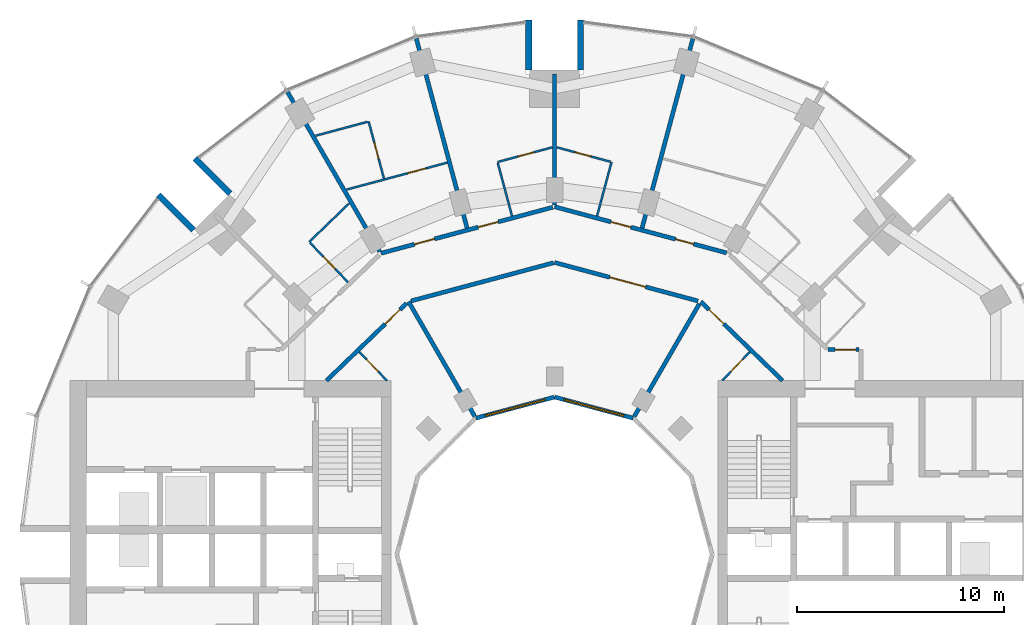
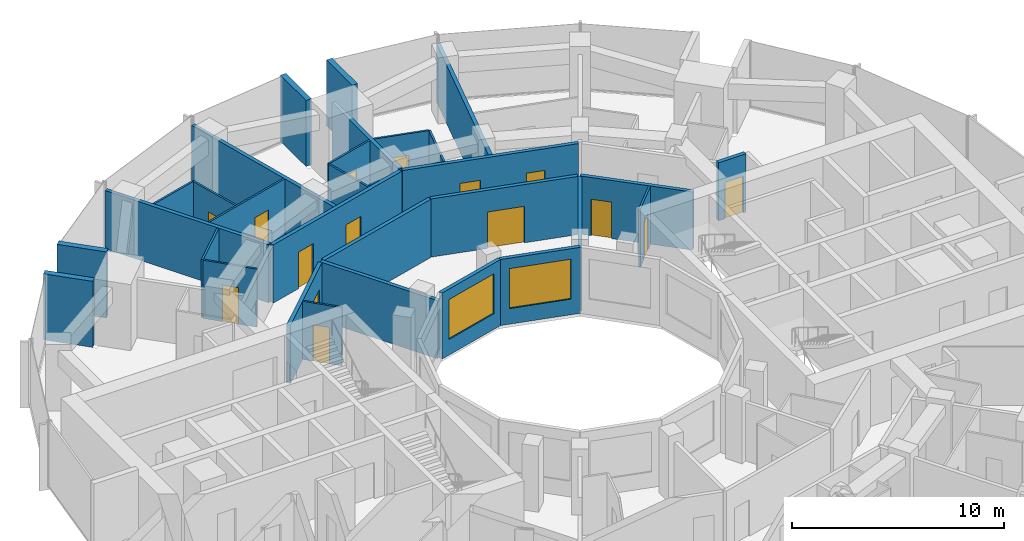
# One storey, part 12 of 15: 30 walls, 15 doors, 2 windows, 17 openings.
"""IFC4 building model written with IfcOpenShell, lengths in metres."""

from ifc_helpers import new_model, si_unit, direction, frame, frame_2d, origin, place, context, subcontext, project, spatial, rectangle, extrude, material, layer, layer_set, type_object, element, fill, save


model = new_model("IFC4")

# Units and contexts
model_context = context("Model", 3, precision=1e-05, world=origin(), true_north=direction((0.0, 1.0)))
body_context = subcontext(model_context, "Body", "Model", "MODEL_VIEW")
ifc_project = project(units=[si_unit("LENGTHUNIT", "METRE"), si_unit("AREAUNIT", "SQUARE_METRE"), si_unit("VOLUMEUNIT", "CUBIC_METRE"), si_unit("PLANEANGLEUNIT", "RADIAN"), si_unit("MASSUNIT", "GRAM", prefix="KILO")], contexts=[model_context])

# Site, building, storey
site_placement = place(None, origin())
site = spatial("IfcSite", under=ifc_project, at=site_placement, CompositionType="ELEMENT")
building_placement = place(site_placement, origin())
building = spatial("IfcBuilding", under=site, at=building_placement, Name="Torre Brocal", CompositionType="ELEMENT")
storey_placement = place(building_placement, frame((0.0, 0.0, 47.800048828125)))
storey = spatial("IfcBuildingStorey", under=building, at=storey_placement, Name="L10", CompositionType="ELEMENT", Elevation=47.800048828125)

# Walls
ifc_material_1 = material(Name="Concrete C80", Category="concrete")
ifc_layer_1 = layer(ifc_material_1, 0.300048828125)
ifc_layer_set_1 = layer_set([ifc_layer_1], Name="Concrete C80")
wall_type_1 = type_object("IfcWallType", Name="NOTCH RETURN WALL 300 C80", PredefinedType="NOTDEFINED", material=ifc_layer_set_1)
for number, where, z_axis, x_axis, name in (
    (1, (81.25, 98.39990234375, 0.0), (0.0, 0.0, 1.0), (0.0, 1.0, 0.0), "NOTCH RETURN WALL"),
    (2, (78.75, 98.39990234375, 0.0), (0.0, 0.0, 1.0), (0.0, 1.0, 0.0), "NOTCH RETURN WALL"),
    (3, (64.337646484375, 92.43017578125, 0.0), (0.0, 0.0, 1.0), (-0.707106781187, 0.707106781187, 0.0), "NOTCH RETURN WALL"),
    (4, (62.56982421875, 90.662353515625, 0.0), (0.0, 0.0, 1.0), (-0.707106781187, 0.707106781187, 0.0), "NOTCH RETURN WALL"),
):
    element("IfcWall", number, at=place(storey_placement, frame(where, z_axis=z_axis, x_axis=x_axis)), inside=storey, type_object=wall_type_1, Name=name, PredefinedType="NOTDEFINED", context=body_context, shape_type="SweptSolid", body=[
        extrude(rectangle(XDim=2.415771484375, YDim=0.300048828125, at=frame_2d((1.2080078125, 0.0))), origin(), (0.0, 0.0, 1.0), 3.800048828125),
    ])

# Wall, opening, door
ifc_material_2 = material(Name="Gypsum board", Category="Gypsum")
ifc_layer_2 = layer(ifc_material_2, 0.10009765625)
ifc_layer_set_2 = layer_set([ifc_layer_2], Name="Gypsum board")
wall_type_2 = type_object("IfcWallType", Name="PARTITION 100", PredefinedType="PARTITIONING", material=ifc_layer_set_2)
wall_1_placement = place(storey_placement, frame((68.184814453125, 90.06005859375, 0.0), z_axis=(0.0, 0.0, 1.0), x_axis=(0.69446127412, -0.719530081892, 0.0)))
wall_1 = element("IfcWall", 5, at=wall_1_placement, inside=storey, type_object=wall_type_2, Name="BATHROOM WALL", PredefinedType="PARTITIONING", context=body_context, shape_type="SweptSolid", body=[
    extrude(rectangle(XDim=2.64892578125, YDim=0.10009765625, at=frame_2d((1.324462890625, 0.0))), origin(), (0.0, 0.0, 1.0), 3.349853515625),
])
opening_1_placement = place(wall_1_placement, frame((0.94970703125, 0.0, 0.0)))
opening_1 = element("IfcOpeningElement", 6, at=opening_1_placement, cuts=wall_1, Name="Opening H02-D15", PredefinedType="OPENING", context=body_context, shape_type="SweptSolid", body=[
    extrude(rectangle(XDim=0.800048828125, YDim=2.10009765625, at=frame_2d((0.39990234375, 1.050048828125))), frame((0.0, 0.06005859375, 0.0), z_axis=(0.0, -1.0, 0.0), x_axis=(1.0, 0.0, 0.0)), (0.0, 0.0, 1.0), 0.1201171875),
])
ifc_material_3 = material(Name="Timber", Category="wood")
door_type_1 = type_object("IfcDoorType", Name="BATHROOM DOOR 800X2100", OperationType="SINGLE_SWING_LEFT", PredefinedType="DOOR", material=ifc_material_3)
door_1_placement = place(opening_1_placement, origin())
door_1 = element("IfcDoor", 7, at=door_1_placement, inside=storey, type_object=door_type_1, Name="H02-D15", OperationType="SINGLE_SWING_RIGHT", OverallHeight=2.10009765625, OverallWidth=0.800048828125, PredefinedType="DOOR", context=body_context, shape_type="SweptSolid", body=[
    extrude(rectangle(XDim=0.800048828125, YDim=2.10009765625, at=frame_2d((0.39990234375, 1.050048828125))), frame((0.0, 0.02490234375, 0.0), z_axis=(0.0, -1.0, 0.0), x_axis=(1.0, 0.0, 0.0)), (0.0, 0.0, 1.0), 0.050048828125),
])
fill(opening_1, door_1)

# Walls
wall_2_placement = place(storey_placement, frame((68.14990234375, 90.09619140625, 0.0), z_axis=(0.0, 0.0, 1.0), x_axis=(0.719623741095, 0.69436422089, 0.0)))
element("IfcWall", 8, at=wall_2_placement, inside=storey, type_object=wall_type_2, Name="BATHROOM WALL", PredefinedType="PARTITIONING", context=body_context, shape_type="SweptSolid", body=[
    extrude(rectangle(XDim=2.68701171875, YDim=0.10009765625, at=frame_2d((1.343505859375, 0.0))), origin(), (0.0, 0.0, 1.0), 3.349853515625),
])
wall_3_placement = place(storey_placement, frame((68.456787109375, 95.22509765625, 0.0), z_axis=(0.0, 0.0, 1.0), x_axis=(0.965887416682, 0.258962349183, 0.0)))
element("IfcWall", 9, at=wall_3_placement, inside=storey, type_object=wall_type_2, Name="BATHROOM WALL", PredefinedType="PARTITIONING", context=body_context, shape_type="SweptSolid", body=[
    extrude(rectangle(XDim=2.606689453125, YDim=0.10009765625, at=frame_2d((1.30322265625, 0.0))), origin(), (0.0, 0.0, 1.0), 3.349853515625),
])

# Wall, opening, door
wall_4_placement = place(storey_placement, frame((69.9580078125, 92.625244140625, 0.0), z_axis=(0.0, 0.0, 1.0), x_axis=(0.96595043048, 0.258727203548, 0.0)))
wall_4 = element("IfcWall", 10, at=wall_4_placement, inside=storey, type_object=wall_type_2, Name="BATHROOM WALL", PredefinedType="PARTITIONING", context=body_context, shape_type="SweptSolid", body=[
    extrude(rectangle(XDim=5.0380859375, YDim=0.10009765625, at=frame_2d((2.51904296875, 0.0))), origin(), (0.0, 0.0, 1.0), 3.349853515625),
])
opening_2_placement = place(wall_4_placement, frame((3.04931640625, 0.0, 0.0)))
opening_2 = element("IfcOpeningElement", 11, at=opening_2_placement, cuts=wall_4, Name="Opening H02-D12", PredefinedType="OPENING", context=body_context, shape_type="SweptSolid", body=[
    extrude(rectangle(XDim=0.89990234375, YDim=2.10009765625, at=frame_2d((0.449951171875, 1.050048828125))), frame((0.0, 0.06005859375, 0.0), z_axis=(0.0, -1.0, 0.0), x_axis=(1.0, 0.0, 0.0)), (0.0, 0.0, 1.0), 0.1201171875),
])
ifc_material_4 = material(Name="Timber", Category="wood")
door_type_2 = type_object("IfcDoorType", Name="ROOM DOOR 900X2100", OperationType="SINGLE_SWING_LEFT", PredefinedType="DOOR", material=ifc_material_4)
door_2_placement = place(opening_2_placement, frame((0.89990234375, 0.0, 0.0), z_axis=(0.0, 0.0, 1.0), x_axis=(-1.0, 0.0, 0.0)))
door_2 = element("IfcDoor", 12, at=door_2_placement, inside=storey, type_object=door_type_2, Name="H02-D12", OperationType="SINGLE_SWING_LEFT", OverallHeight=2.10009765625, OverallWidth=0.89990234375, PredefinedType="DOOR", context=body_context, shape_type="SweptSolid", body=[
    extrude(rectangle(XDim=0.89990234375, YDim=2.10009765625, at=frame_2d((0.449951171875, 1.050048828125))), frame((0.0, 0.02490234375, 0.0), z_axis=(0.0, -1.0, 0.0), x_axis=(1.0, 0.0, 0.0)), (0.0, 0.0, 1.0), 0.050048828125),
])
fill(opening_2, door_2)

wall_5_placement = place(storey_placement, frame((70.5673828125, 84.785888671875, 0.0), z_axis=(0.0, 0.0, 1.0), x_axis=(0.694447472534, -0.719543402368, 0.0)))
wall_5 = element("IfcWall", 13, at=wall_5_placement, inside=storey, type_object=wall_type_2, Name="BATHROOM WALL", PredefinedType="PARTITIONING", context=body_context, shape_type="SweptSolid", body=[
    extrude(rectangle(XDim=1.92626953125, YDim=0.10009765625, at=frame_2d((0.963134765625, 0.0))), origin(), (0.0, 0.0, 1.0), 3.349853515625),
])
opening_3_placement = place(wall_5_placement, frame((0.51318359375, 0.0, 0.0)))
opening_3 = element("IfcOpeningElement", 14, at=opening_3_placement, cuts=wall_5, Name="Opening H02-D22", PredefinedType="OPENING", context=body_context, shape_type="SweptSolid", body=[
    extrude(rectangle(XDim=0.800048828125, YDim=2.10009765625, at=frame_2d((0.39990234375, 1.050048828125))), frame((0.0, 0.06005859375, 0.0), z_axis=(0.0, -1.0, 0.0), x_axis=(1.0, 0.0, 0.0)), (0.0, 0.0, 1.0), 0.1201171875),
])
door_3_placement = place(opening_3_placement, frame((0.800048828125, 0.0, 0.0), z_axis=(0.0, 0.0, 1.0), x_axis=(-1.0, 0.0, 0.0)))
door_3 = element("IfcDoor", 15, at=door_3_placement, inside=storey, type_object=door_type_1, Name="H02-D22", OperationType="SINGLE_SWING_RIGHT", OverallHeight=2.10009765625, OverallWidth=0.800048828125, PredefinedType="DOOR", context=body_context, shape_type="SweptSolid", body=[
    extrude(rectangle(XDim=0.800048828125, YDim=2.10009765625, at=frame_2d((0.39990234375, 1.050048828125))), frame((0.0, 0.02490234375, 0.0), z_axis=(0.0, -1.0, 0.0), x_axis=(1.0, 0.0, 0.0)), (0.0, 0.0, 1.0), 0.050048828125),
])
fill(opening_3, door_3)

wall_6_placement = place(storey_placement, frame((71.02294921875, 95.9130859375, 0.0), z_axis=(0.0, 0.0, 1.0), x_axis=(0.258968734817, -0.965885704619, 0.0)))
wall_6 = element("IfcWall", 16, at=wall_6_placement, inside=storey, type_object=wall_type_2, Name="BATHROOM WALL", PredefinedType="PARTITIONING", context=body_context, shape_type="SweptSolid", body=[
    extrude(rectangle(XDim=2.849853515625, YDim=0.10009765625, at=frame_2d((1.4248046875, 0.0))), origin(), (0.0, 0.0, 1.0), 3.349853515625),
])
opening_4_placement = place(wall_6_placement, frame((1.050048828125, 0.0, 0.0)))
opening_4 = element("IfcOpeningElement", 17, at=opening_4_placement, cuts=wall_6, Name="Opening H02-D13", PredefinedType="OPENING", context=body_context, shape_type="SweptSolid", body=[
    extrude(rectangle(XDim=0.800048828125, YDim=2.10009765625, at=frame_2d((0.39990234375, 1.050048828125))), frame((0.0, 0.06005859375, 0.0), z_axis=(0.0, -1.0, 0.0), x_axis=(1.0, 0.0, 0.0)), (0.0, 0.0, 1.0), 0.1201171875),
])
door_4_placement = place(opening_4_placement, frame((0.800048828125, 0.0, 0.0), z_axis=(0.0, 0.0, 1.0), x_axis=(-1.0, 0.0, 0.0)))
door_4 = element("IfcDoor", 18, at=door_4_placement, inside=storey, type_object=door_type_1, Name="H02-D13", OperationType="SINGLE_SWING_RIGHT", OverallHeight=2.10009765625, OverallWidth=0.800048828125, PredefinedType="DOOR", context=body_context, shape_type="SweptSolid", body=[
    extrude(rectangle(XDim=0.800048828125, YDim=2.10009765625, at=frame_2d((0.39990234375, 1.050048828125))), frame((0.0, 0.02490234375, 0.0), z_axis=(0.0, -1.0, 0.0), x_axis=(1.0, 0.0, 0.0)), (0.0, 0.0, 1.0), 0.050048828125),
])
fill(opening_4, door_4)

# Wall
wall_7_placement = place(storey_placement, frame((77.260009765625, 93.90869140625, 0.0), z_axis=(0.0, 0.0, 1.0), x_axis=(0.258935674139, -0.965894568086, 0.0)))
element("IfcWall", 19, at=wall_7_placement, inside=storey, type_object=wall_type_2, Name="BATHROOM WALL", PredefinedType="PARTITIONING", context=body_context, shape_type="SweptSolid", body=[
    extrude(rectangle(XDim=2.6494140625, YDim=0.10009765625, at=frame_2d((1.32470703125, 0.0))), origin(), (0.0, 0.0, 1.0), 3.349853515625),
])

# Wall, opening, door
wall_8_placement = place(storey_placement, frame((77.2470703125, 93.95703125, 0.0), z_axis=(0.0, 0.0, 1.0), x_axis=(0.965899920864, 0.258915706119, 0.0)))
wall_8 = element("IfcWall", 20, at=wall_8_placement, inside=storey, type_object=wall_type_2, Name="BATHROOM WALL", PredefinedType="PARTITIONING", context=body_context, shape_type="SweptSolid", body=[
    extrude(rectangle(XDim=2.740234375, YDim=0.10009765625, at=frame_2d((1.3701171875, 0.0))), origin(), (0.0, 0.0, 1.0), 3.349853515625),
])
opening_5_placement = place(wall_8_placement, frame((1.025146484375, 0.0, 0.0)))
opening_5 = element("IfcOpeningElement", 21, at=opening_5_placement, cuts=wall_8, Name="Opening H02-D10", PredefinedType="OPENING", context=body_context, shape_type="SweptSolid", body=[
    extrude(rectangle(XDim=0.800048828125, YDim=2.10009765625, at=frame_2d((0.39990234375, 1.050048828125))), frame((0.0, 0.06005859375, 0.0), z_axis=(0.0, -1.0, 0.0), x_axis=(1.0, 0.0, 0.0)), (0.0, 0.0, 1.0), 0.1201171875),
])
door_5_placement = place(opening_5_placement, frame((0.800048828125, 0.0, 0.0), z_axis=(0.0, 0.0, 1.0), x_axis=(-1.0, 0.0, 0.0)))
door_5 = element("IfcDoor", 22, at=door_5_placement, inside=storey, type_object=door_type_1, Name="H02-D10", OperationType="SINGLE_SWING_LEFT", OverallHeight=2.10009765625, OverallWidth=0.800048828125, PredefinedType="DOOR", context=body_context, shape_type="SweptSolid", body=[
    extrude(rectangle(XDim=0.800048828125, YDim=2.10009765625, at=frame_2d((0.39990234375, 1.050048828125))), frame((0.0, 0.02490234375, 0.0), z_axis=(0.0, -1.0, 0.0), x_axis=(1.0, 0.0, 0.0)), (0.0, 0.0, 1.0), 0.050048828125),
])
fill(opening_5, door_5)

wall_9_placement = place(storey_placement, frame((80.106201171875, 94.66650390625, 0.0), z_axis=(0.0, 0.0, 1.0), x_axis=(0.96589821458, -0.258922071427, 0.0)))
wall_9 = element("IfcWall", 23, at=wall_9_placement, inside=storey, type_object=wall_type_2, Name="BATHROOM WALL", PredefinedType="PARTITIONING", context=body_context, shape_type="SweptSolid", body=[
    extrude(rectangle(XDim=2.690185546875, YDim=0.10009765625, at=frame_2d((1.34521484375, 0.0))), origin(), (0.0, 0.0, 1.0), 3.349853515625),
])
opening_6_placement = place(wall_9_placement, frame((0.9150390625, 0.0, 0.0)))
opening_6 = element("IfcOpeningElement", 24, at=opening_6_placement, cuts=wall_9, Name="Opening H02-D08", PredefinedType="OPENING", context=body_context, shape_type="SweptSolid", body=[
    extrude(rectangle(XDim=0.800048828125, YDim=2.10009765625, at=frame_2d((0.39990234375, 1.050048828125))), frame((0.0, 0.06005859375, 0.0), z_axis=(0.0, -1.0, 0.0), x_axis=(1.0, 0.0, 0.0)), (0.0, 0.0, 1.0), 0.1201171875),
])
door_6_placement = place(opening_6_placement, frame((0.800048828125, 0.0, 0.0), z_axis=(0.0, 0.0, 1.0), x_axis=(-1.0, 0.0, 0.0)))
door_6 = element("IfcDoor", 25, at=door_6_placement, inside=storey, type_object=door_type_1, Name="H02-D08", OperationType="SINGLE_SWING_RIGHT", OverallHeight=2.10009765625, OverallWidth=0.800048828125, PredefinedType="DOOR", context=body_context, shape_type="SweptSolid", body=[
    extrude(rectangle(XDim=0.800048828125, YDim=2.10009765625, at=frame_2d((0.39990234375, 1.050048828125))), frame((0.0, 0.02490234375, 0.0), z_axis=(0.0, -1.0, 0.0), x_axis=(1.0, 0.0, 0.0)), (0.0, 0.0, 1.0), 0.050048828125),
])
fill(opening_6, door_6)

# Wall
wall_10_placement = place(storey_placement, frame((82.053955078125, 91.349609375, 0.0), z_axis=(0.0, 0.0, 1.0), x_axis=(0.258928960762, 0.965896367774, 0.0)))
element("IfcWall", 26, at=wall_10_placement, inside=storey, type_object=wall_type_2, Name="BATHROOM WALL", PredefinedType="PARTITIONING", context=body_context, shape_type="SweptSolid", body=[
    extrude(rectangle(XDim=2.699462890625, YDim=0.10009765625, at=frame_2d((1.349609375, 0.0))), origin(), (0.0, 0.0, 1.0), 3.349853515625),
])

# Wall, opening, door
wall_11_placement = place(storey_placement, frame((88.094970703125, 83.39990234375, 0.0), z_axis=(0.0, 0.0, 1.0), x_axis=(0.694447472534, 0.719543402368, 0.0)))
wall_11 = element("IfcWall", 27, at=wall_11_placement, inside=storey, type_object=wall_type_2, Name="BATHROOM WALL", PredefinedType="PARTITIONING", context=body_context, shape_type="SweptSolid", body=[
    extrude(rectangle(XDim=1.92626953125, YDim=0.10009765625, at=frame_2d((0.963134765625, 0.0))), origin(), (0.0, 0.0, 1.0), 3.349853515625),
])
opening_7_placement = place(wall_11_placement, frame((0.613037109375, 0.0, 0.0)))
opening_7 = element("IfcOpeningElement", 28, at=opening_7_placement, cuts=wall_11, Name="Opening H02-D19", PredefinedType="OPENING", context=body_context, shape_type="SweptSolid", body=[
    extrude(rectangle(XDim=0.800048828125, YDim=2.10009765625, at=frame_2d((0.39990234375, 1.050048828125))), frame((0.0, 0.06005859375, 0.0), z_axis=(0.0, -1.0, 0.0), x_axis=(1.0, 0.0, 0.0)), (0.0, 0.0, 1.0), 0.1201171875),
])
door_7_placement = place(opening_7_placement, frame((0.800048828125, 0.0, 0.0), z_axis=(0.0, 0.0, 1.0), x_axis=(-1.0, 0.0, 0.0)))
door_7 = element("IfcDoor", 29, at=door_7_placement, inside=storey, type_object=door_type_1, Name="H02-D19", OperationType="SINGLE_SWING_LEFT", OverallHeight=2.10009765625, OverallWidth=0.800048828125, PredefinedType="DOOR", context=body_context, shape_type="SweptSolid", body=[
    extrude(rectangle(XDim=0.800048828125, YDim=2.10009765625, at=frame_2d((0.39990234375, 1.050048828125))), frame((0.0, 0.02490234375, 0.0), z_axis=(0.0, -1.0, 0.0), x_axis=(1.0, 0.0, 0.0)), (0.0, 0.0, 1.0), 0.050048828125),
])
fill(opening_7, door_7)

# Wall
ifc_material_5 = material(Name="Gypsum board", Category="Gypsum")
ifc_layer_3 = layer(ifc_material_5, 0.199951171875)
ifc_layer_set_3 = layer_set([ifc_layer_3], Name="Gypsum board")
wall_type_3 = type_object("IfcWallType", Name="PARTITION 200 EI60", PredefinedType="PARTITIONING", material=ifc_layer_set_3)
wall_12_placement = place(storey_placement, frame((67.10302734375, 97.342529296875, 0.0), z_axis=(0.0, 0.0, 1.0), x_axis=(0.499900389553, -0.866082906265, 0.0)))
element("IfcWall", 30, at=wall_12_placement, inside=storey, type_object=wall_type_3, Name="BATHROOM WALL", PredefinedType="PARTITIONING", context=body_context, shape_type="SweptSolid", body=[
    extrude(rectangle(XDim=8.907958984375, YDim=0.199951171875, at=frame_2d((4.4541015625, 0.0))), origin(), (0.0, 0.0, 1.0), 3.349853515625),
])

# Wall, opening, door
wall_13_placement = place(storey_placement, frame((68.987060546875, 83.39990234375, 0.0), z_axis=(0.0, 0.0, 1.0), x_axis=(0.719591503389, 0.694397629784, 0.0)))
wall_13 = element("IfcWall", 31, at=wall_13_placement, inside=storey, type_object=wall_type_3, Name="GUESTROOM CORRIDOR WALL", PredefinedType="PARTITIONING", context=body_context, shape_type="SweptSolid", body=[
    extrude(rectangle(XDim=5.378173828125, YDim=0.199951171875, at=frame_2d((2.68896484375, 0.0))), origin(), (0.0, 0.0, 1.0), 3.349853515625),
])
opening_8_placement = place(wall_13_placement, frame((3.93798828125, 0.0, 0.0)))
opening_8 = element("IfcOpeningElement", 32, at=opening_8_placement, cuts=wall_13, Name="Opening H02-D21", PredefinedType="OPENING", context=body_context, shape_type="SweptSolid", body=[
    extrude(rectangle(XDim=1.0, YDim=2.10009765625, at=frame_2d((0.5, 1.050048828125))), frame((0.0, 0.10986328125, 0.0), z_axis=(0.0, -1.0, 0.0), x_axis=(1.0, 0.0, 0.0)), (0.0, 0.0, 1.0), 0.219970703125),
])
ifc_material_6 = material(Name="Timber", Category="wood")
door_type_3 = type_object("IfcDoorType", Name="FLAT ENTRY DOOR FD30S 1000X2100", OperationType="SINGLE_SWING_RIGHT", PredefinedType="DOOR", material=ifc_material_6)
door_8_placement = place(opening_8_placement, frame((1.0, 0.0, 0.0), z_axis=(0.0, 0.0, 1.0), x_axis=(-1.0, 0.0, 0.0)))
door_8 = element("IfcDoor", 33, at=door_8_placement, inside=storey, type_object=door_type_3, Name="H02-D21", OperationType="SINGLE_SWING_LEFT", OverallHeight=2.10009765625, OverallWidth=1.0, PredefinedType="DOOR", context=body_context, shape_type="SweptSolid", body=[
    extrude(rectangle(XDim=1.0, YDim=2.10009765625, at=frame_2d((0.5, 1.050048828125))), frame((0.0, 0.02490234375, 0.0), z_axis=(0.0, -1.0, 0.0), x_axis=(1.0, 0.0, 0.0)), (0.0, 0.0, 1.0), 0.050048828125),
])
fill(opening_8, door_8)

# Wall, openings, doors
wall_14_placement = place(storey_placement, frame((71.61376953125, 89.549560546875, 0.0), z_axis=(0.0, 0.0, 1.0), x_axis=(0.96597505802, 0.258635239832, 0.0)))
wall_14 = element("IfcWall", 34, at=wall_14_placement, inside=storey, type_object=wall_type_3, Name="FLAT ENTRANCE WALL", PredefinedType="PARTITIONING", context=body_context, shape_type="SweptSolid", body=[
    extrude(rectangle(XDim=8.591796875, YDim=0.199951171875, at=frame_2d((4.2958984375, 0.0))), origin(), (0.0, 0.0, 1.0), 3.349853515625),
])
opening_9_placement = place(wall_14_placement, frame((4.864990234375, 0.0, 0.0)))
opening_9 = element("IfcOpeningElement", 35, at=opening_9_placement, cuts=wall_14, Name="Opening H02-D09", PredefinedType="OPENING", context=body_context, shape_type="SweptSolid", body=[
    extrude(rectangle(XDim=1.0, YDim=2.10009765625, at=frame_2d((0.5, 1.050048828125))), frame((0.0, 0.10986328125, 0.0), z_axis=(0.0, -1.0, 0.0), x_axis=(1.0, 0.0, 0.0)), (0.0, 0.0, 1.0), 0.219970703125),
])
opening_10_placement = place(wall_14_placement, frame((1.67724609375, 0.0, 0.0)))
opening_10 = element("IfcOpeningElement", 36, at=opening_10_placement, cuts=wall_14, Name="Opening H02-D11", PredefinedType="OPENING", context=body_context, shape_type="SweptSolid", body=[
    extrude(rectangle(XDim=1.0, YDim=2.10009765625, at=frame_2d((0.5, 1.050048828125))), frame((0.0, 0.10986328125, 0.0), z_axis=(0.0, -1.0, 0.0), x_axis=(1.0, 0.0, 0.0)), (0.0, 0.0, 1.0), 0.219970703125),
])
door_9_placement = place(opening_9_placement, origin())
door_9 = element("IfcDoor", 37, at=door_9_placement, inside=storey, type_object=door_type_3, Name="H02-D09", OperationType="SINGLE_SWING_LEFT", OverallHeight=2.10009765625, OverallWidth=1.0, PredefinedType="DOOR", context=body_context, shape_type="SweptSolid", body=[
    extrude(rectangle(XDim=1.0, YDim=2.10009765625, at=frame_2d((0.5, 1.050048828125))), frame((0.0, 0.02490234375, 0.0), z_axis=(0.0, -1.0, 0.0), x_axis=(1.0, 0.0, 0.0)), (0.0, 0.0, 1.0), 0.050048828125),
])
fill(opening_9, door_9)
door_10_placement = place(opening_10_placement, origin())
door_10 = element("IfcDoor", 38, at=door_10_placement, inside=storey, type_object=door_type_3, Name="H02-D11", OperationType="SINGLE_SWING_RIGHT", OverallHeight=2.10009765625, OverallWidth=1.0, PredefinedType="DOOR", context=body_context, shape_type="SweptSolid", body=[
    extrude(rectangle(XDim=1.0, YDim=2.10009765625, at=frame_2d((0.5, 1.050048828125))), frame((0.0, 0.02490234375, 0.0), z_axis=(0.0, -1.0, 0.0), x_axis=(1.0, 0.0, 0.0)), (0.0, 0.0, 1.0), 0.050048828125),
])
fill(opening_10, door_10)

# Walls
wall_15_placement = place(storey_placement, frame((73.0712890625, 87.2470703125, 0.0), z_axis=(0.0, 0.0, 1.0), x_axis=(0.965920206274, 0.258840018373, 0.0)))
element("IfcWall", 39, at=wall_15_placement, inside=storey, type_object=wall_type_3, Name="GUESTROOM CORRIDOR WALL", PredefinedType="PARTITIONING", context=body_context, shape_type="SweptSolid", body=[
    extrude(rectangle(XDim=7.123046875, YDim=0.199951171875, at=frame_2d((3.5615234375, 0.0))), origin(), (0.0, 0.0, 1.0), 3.349853515625),
])
wall_16_placement = place(storey_placement, frame((72.948974609375, 87.214599609375, 0.0), z_axis=(0.0, 0.0, 1.0), x_axis=(0.499890755261, -0.866088467077, 0.0)))
element("IfcWall", 40, at=wall_16_placement, inside=storey, type_object=wall_type_3, Name="PARTY PARTITION", PredefinedType="PARTITIONING", context=body_context, shape_type="SweptSolid", body=[
    extrude(rectangle(XDim=6.404296875, YDim=0.199951171875, at=frame_2d((3.2021484375, 0.0))), origin(), (0.0, 0.0, 1.0), 3.349853515625),
])
wall_17_placement = place(storey_placement, frame((73.323486328125, 99.91943359375, 0.0), z_axis=(0.0, 0.0, 1.0), x_axis=(0.258786746607, -0.965934480066, 0.0)))
element("IfcWall", 41, at=wall_17_placement, inside=storey, type_object=wall_type_3, Name="PARTY PARTITION", PredefinedType="PARTITIONING", context=body_context, shape_type="SweptSolid", body=[
    extrude(rectangle(XDim=9.474609375, YDim=0.199951171875, at=frame_2d((4.7373046875, 0.0))), origin(), (0.0, 0.0, 1.0), 3.349853515625),
])

# Wall, opening, door
wall_18_placement = place(storey_placement, frame((80.0, 89.104248046875, 0.0), z_axis=(0.0, 0.0, 1.0), x_axis=(0.965886659739, -0.258965172444, 0.0)))
wall_18 = element("IfcWall", 42, at=wall_18_placement, inside=storey, type_object=wall_type_3, Name="GUESTROOM CORRIDOR WALL", PredefinedType="PARTITIONING", context=body_context, shape_type="SweptSolid", body=[
    extrude(rectangle(XDim=7.17333984375, YDim=0.199951171875, at=frame_2d((3.586669921875, 0.0))), origin(), (0.0, 0.0, 1.0), 3.349853515625),
])
opening_11_placement = place(wall_18_placement, frame((2.756591796875, 0.0, 0.0)))
opening_11 = element("IfcOpeningElement", 43, at=opening_11_placement, cuts=wall_18, Name="Opening H02-D20", PredefinedType="OPENING", context=body_context, shape_type="SweptSolid", body=[
    extrude(rectangle(XDim=1.800048828125, YDim=2.10009765625, at=frame_2d((0.89990234375, 1.050048828125))), frame((0.0, 0.10986328125, 0.0), z_axis=(0.0, -1.0, 0.0), x_axis=(1.0, 0.0, 0.0)), (0.0, 0.0, 1.0), 0.219970703125),
])
ifc_material_7 = material(Name="Timber", Category="wood")
door_type_4 = type_object("IfcDoorType", Name="DOUBLE DOOR 1800X2100", OperationType="DOUBLE_DOOR_SINGLE_SWING", PredefinedType="DOOR", material=ifc_material_7)
door_11_placement = place(opening_11_placement, frame((1.800048828125, 0.0, 0.0), z_axis=(0.0, 0.0, 1.0), x_axis=(-1.0, 0.0, 0.0)))
door_11 = element("IfcDoor", 44, at=door_11_placement, inside=storey, type_object=door_type_4, Name="H02-D20", OperationType="DOUBLE_DOOR_SINGLE_SWING", OverallHeight=2.10009765625, OverallWidth=1.800048828125, PredefinedType="DOOR", context=body_context, shape_type="SweptSolid", body=[
    extrude(rectangle(XDim=1.800048828125, YDim=2.10009765625, at=frame_2d((0.89990234375, 1.050048828125))), frame((0.0, 0.02490234375, 0.0), z_axis=(0.0, -1.0, 0.0), x_axis=(1.0, 0.0, 0.0)), (0.0, 0.0, 1.0), 0.050048828125),
])
fill(opening_11, door_11)

# Wall
wall_19_placement = place(storey_placement, frame((80.0, 91.885986328125, 0.0), z_axis=(0.0, 0.0, 1.0), x_axis=(0.0, 1.0, 0.0)))
element("IfcWall", 45, at=wall_19_placement, inside=storey, type_object=wall_type_3, Name="BATHROOM WALL", PredefinedType="PARTITIONING", context=body_context, shape_type="SweptSolid", body=[
    extrude(rectangle(XDim=6.31396484375, YDim=0.199951171875, at=frame_2d((3.156982421875, 0.0))), origin(), (0.0, 0.0, 1.0), 3.349853515625),
])

# Wall, openings, doors
wall_20_placement = place(storey_placement, frame((80.0, 91.79638671875, 0.0), z_axis=(0.0, 0.0, 1.0), x_axis=(0.965896351823, -0.258929020266, 0.0)))
wall_20 = element("IfcWall", 46, at=wall_20_placement, inside=storey, type_object=wall_type_3, Name="GUESTROOM CORRIDOR WALL", PredefinedType="PARTITIONING", context=body_context, shape_type="SweptSolid", body=[
    extrude(rectangle(XDim=8.60205078125, YDim=0.199951171875, at=frame_2d((4.301025390625, 0.0))), origin(), (0.0, 0.0, 1.0), 3.349853515625),
])
opening_12_placement = place(wall_20_placement, frame((6.0546875, 0.0, 0.0)))
opening_12 = element("IfcOpeningElement", 47, at=opening_12_placement, cuts=wall_20, Name="Opening H02-D05", PredefinedType="OPENING", context=body_context, shape_type="SweptSolid", body=[
    extrude(rectangle(XDim=0.89990234375, YDim=2.10009765625, at=frame_2d((0.449951171875, 1.050048828125))), frame((0.0, 0.10986328125, 0.0), z_axis=(0.0, -1.0, 0.0), x_axis=(1.0, 0.0, 0.0)), (0.0, 0.0, 1.0), 0.219970703125),
])
opening_13_placement = place(wall_20_placement, frame((2.816650390625, 0.0, 0.0)))
opening_13 = element("IfcOpeningElement", 48, at=opening_13_placement, cuts=wall_20, Name="Opening H02-D07", PredefinedType="OPENING", context=body_context, shape_type="SweptSolid", body=[
    extrude(rectangle(XDim=1.0, YDim=2.10009765625, at=frame_2d((0.5, 1.050048828125))), frame((0.0, 0.10986328125, 0.0), z_axis=(0.0, -1.0, 0.0), x_axis=(1.0, 0.0, 0.0)), (0.0, 0.0, 1.0), 0.219970703125),
])
door_12_placement = place(opening_13_placement, origin())
door_12 = element("IfcDoor", 49, at=door_12_placement, inside=storey, type_object=door_type_3, Name="H02-D07", OperationType="SINGLE_SWING_RIGHT", OverallHeight=2.10009765625, OverallWidth=1.0, PredefinedType="DOOR", context=body_context, shape_type="SweptSolid", body=[
    extrude(rectangle(XDim=1.0, YDim=2.10009765625, at=frame_2d((0.5, 1.050048828125))), frame((0.0, 0.02490234375, 0.0), z_axis=(0.0, -1.0, 0.0), x_axis=(1.0, 0.0, 0.0)), (0.0, 0.0, 1.0), 0.050048828125),
])
fill(opening_13, door_12)
door_13_placement = place(opening_12_placement, origin())
door_13 = element("IfcDoor", 50, at=door_13_placement, inside=storey, type_object=door_type_2, Name="H02-D05", OperationType="SINGLE_SWING_LEFT", OverallHeight=2.10009765625, OverallWidth=0.89990234375, PredefinedType="DOOR", context=body_context, shape_type="SweptSolid", body=[
    extrude(rectangle(XDim=0.89990234375, YDim=2.10009765625, at=frame_2d((0.449951171875, 1.050048828125))), frame((0.0, 0.02490234375, 0.0), z_axis=(0.0, -1.0, 0.0), x_axis=(1.0, 0.0, 0.0)), (0.0, 0.0, 1.0), 0.050048828125),
])
fill(opening_12, door_13)

# Walls
wall_21_placement = place(storey_placement, frame((83.85009765625, 81.667724609375, 0.0), z_axis=(0.0, 0.0, 1.0), x_axis=(0.500233583443, 0.865890502313, 0.0)))
element("IfcWall", 51, at=wall_21_placement, inside=storey, type_object=wall_type_3, Name="PARTY PARTITION", PredefinedType="PARTITIONING", context=body_context, shape_type="SweptSolid", body=[
    extrude(rectangle(XDim=6.2841796875, YDim=0.199951171875, at=frame_2d((3.14208984375, 0.0))), origin(), (0.0, 0.0, 1.0), 3.349853515625),
])
wall_22_placement = place(storey_placement, frame((84.226318359375, 90.76708984375, 0.0), z_axis=(0.0, 0.0, 1.0), x_axis=(0.25891339545, 0.965900540251, 0.0)))
element("IfcWall", 52, at=wall_22_placement, inside=storey, type_object=wall_type_3, Name="SERVICE ROOM WALL", PredefinedType="PARTITIONING", context=body_context, shape_type="SweptSolid", body=[
    extrude(rectangle(XDim=9.474609375, YDim=0.199951171875, at=frame_2d((4.7373046875, 0.0))), origin(), (0.0, 0.0, 1.0), 3.349853515625),
])

# Wall, opening, door
wall_23_placement = place(storey_placement, frame((87.06396484375, 87.2109375, 0.0), z_axis=(0.0, 0.0, 1.0), x_axis=(0.719540958932, -0.694450004262, 0.0)))
wall_23 = element("IfcWall", 53, at=wall_23_placement, inside=storey, type_object=wall_type_3, Name="GUESTROOM CORRIDOR WALL", PredefinedType="PARTITIONING", context=body_context, shape_type="SweptSolid", body=[
    extrude(rectangle(XDim=5.48779296875, YDim=0.199951171875, at=frame_2d((2.743896484375, 0.0))), origin(), (0.0, 0.0, 1.0), 3.349853515625),
])
opening_14_placement = place(wall_23_placement, frame((0.550048828125, 0.0, 0.0)))
opening_14 = element("IfcOpeningElement", 54, at=opening_14_placement, cuts=wall_23, Name="Opening H02-D18", PredefinedType="OPENING", context=body_context, shape_type="SweptSolid", body=[
    extrude(rectangle(XDim=1.0, YDim=2.10009765625, at=frame_2d((0.5, 1.050048828125))), frame((0.0, 0.10986328125, 0.0), z_axis=(0.0, -1.0, 0.0), x_axis=(1.0, 0.0, 0.0)), (0.0, 0.0, 1.0), 0.219970703125),
])
door_14_placement = place(opening_14_placement, frame((1.0, 0.0, 0.0), z_axis=(0.0, 0.0, 1.0), x_axis=(-1.0, 0.0, 0.0)))
door_14 = element("IfcDoor", 55, at=door_14_placement, inside=storey, type_object=door_type_3, Name="H02-D18", OperationType="SINGLE_SWING_RIGHT", OverallHeight=2.10009765625, OverallWidth=1.0, PredefinedType="DOOR", context=body_context, shape_type="SweptSolid", body=[
    extrude(rectangle(XDim=1.0, YDim=2.10009765625, at=frame_2d((0.5, 1.050048828125))), frame((0.0, 0.02490234375, 0.0), z_axis=(0.0, -1.0, 0.0), x_axis=(1.0, 0.0, 0.0)), (0.0, 0.0, 1.0), 0.050048828125),
])
fill(opening_14, door_14)

wall_24_placement = place(storey_placement, frame((93.2041015625, 84.89990234375, 0.0), z_axis=(0.0, 0.0, 1.0), x_axis=(1.0, 0.0, 0.0)))
wall_24 = element("IfcWall", 56, at=wall_24_placement, inside=storey, type_object=wall_type_3, Name="GUESTROOM CORRIDOR WALL", PredefinedType="PARTITIONING", context=body_context, shape_type="SweptSolid", body=[
    extrude(rectangle(XDim=1.495849609375, YDim=0.199951171875, at=frame_2d((0.748046875, 0.0))), origin(), (0.0, 0.0, 1.0), 3.349853515625),
])
opening_15_placement = place(wall_24_placement, frame((0.345947265625, 0.0, 0.0)))
opening_15 = element("IfcOpeningElement", 57, at=opening_15_placement, cuts=wall_24, Name="Opening H02-D01", PredefinedType="OPENING", context=body_context, shape_type="SweptSolid", body=[
    extrude(rectangle(XDim=1.0, YDim=2.10009765625, at=frame_2d((0.5, 1.050048828125))), frame((0.0, 0.10986328125, 0.0), z_axis=(0.0, -1.0, 0.0), x_axis=(1.0, 0.0, 0.0)), (0.0, 0.0, 1.0), 0.219970703125),
])
door_15_placement = place(opening_15_placement, origin())
door_15 = element("IfcDoor", 58, at=door_15_placement, inside=storey, type_object=door_type_3, Name="H02-D01", OperationType="SINGLE_SWING_RIGHT", OverallHeight=2.10009765625, OverallWidth=1.0, PredefinedType="DOOR", context=body_context, shape_type="SweptSolid", body=[
    extrude(rectangle(XDim=1.0, YDim=2.10009765625, at=frame_2d((0.5, 1.050048828125))), frame((0.0, 0.02490234375, 0.0), z_axis=(0.0, -1.0, 0.0), x_axis=(1.0, 0.0, 0.0)), (0.0, 0.0, 1.0), 0.050048828125),
])
fill(opening_15, door_15)

# Wall, opening, window
ifc_material_8 = material(Name="Concrete C40", Category="concrete")
ifc_layer_4 = layer(ifc_material_8, 0.199951171875)
ifc_layer_set_4 = layer_set([ifc_layer_4], Name="Concrete C40")
wall_type_4 = type_object("IfcWallType", Name="WELL FACADE WALL 200", PredefinedType="NOTDEFINED", material=ifc_layer_set_4)
wall_25_placement = place(storey_placement, frame((83.8017578125, 81.5849609375, 0.0), z_axis=(0.0, 0.0, 1.0), x_axis=(-0.965933654434, 0.258789828301, 0.0)))
wall_25 = element("IfcWall", 59, at=wall_25_placement, inside=storey, type_object=wall_type_4, Name="WELL FACADE WALL", PredefinedType="NOTDEFINED", context=body_context, shape_type="SweptSolid", body=[
    extrude(rectangle(XDim=3.935791015625, YDim=0.199951171875, at=frame_2d((1.9677734375, 0.0))), origin(), (0.0, 0.0, 1.0), 3.800048828125),
])
opening_16_placement = place(wall_25_placement, frame((0.468017578125, 0.0, 0.89990234375)))
opening_16 = element("IfcOpeningElement", 60, at=opening_16_placement, cuts=wall_25, Name="Opening W1", PredefinedType="OPENING", context=body_context, shape_type="SweptSolid", body=[
    extrude(rectangle(XDim=3.0, YDim=2.300048828125, at=frame_2d((1.5, 1.14990234375))), frame((0.0, 0.10986328125, 0.0), z_axis=(0.0, -1.0, 0.0), x_axis=(1.0, 0.0, 0.0)), (0.0, 0.0, 1.0), 0.219970703125),
])
ifc_material_9 = material(Name="Aluminium and glass", Category="aluminium")
window_type = type_object("IfcWindowType", Name="WELL WINDOW 3000X2300", PartitioningType="SINGLE_PANEL", PredefinedType="WINDOW", material=ifc_material_9)
window_1_placement = place(opening_16_placement, origin())
window_1 = element("IfcWindow", 61, at=window_1_placement, inside=storey, type_object=window_type, Name="WELL WINDOW 3000X2300", OverallHeight=2.300048828125, OverallWidth=3.0, PartitioningType="SINGLE_PANEL", PredefinedType="WINDOW", context=body_context, shape_type="SweptSolid", body=[
    extrude(rectangle(XDim=3.0, YDim=2.300048828125, at=frame_2d((1.5, 1.14990234375))), frame((0.0, 0.030029296875, 0.0), z_axis=(0.0, -1.0, 0.0), x_axis=(1.0, 0.0, 0.0)), (0.0, 0.0, 1.0), 0.06005859375),
])
fill(opening_16, window_1)

wall_26_placement = place(storey_placement, frame((80.0, 82.603515625, 0.0), z_axis=(0.0, 0.0, 1.0), x_axis=(-0.965933654434, -0.258789828301, 0.0)))
wall_26 = element("IfcWall", 62, at=wall_26_placement, inside=storey, type_object=wall_type_4, Name="WELL FACADE WALL", PredefinedType="NOTDEFINED", context=body_context, shape_type="SweptSolid", body=[
    extrude(rectangle(XDim=3.935791015625, YDim=0.199951171875, at=frame_2d((1.9677734375, 0.0))), origin(), (0.0, 0.0, 1.0), 3.800048828125),
])
opening_17_placement = place(wall_26_placement, frame((0.468017578125, 0.0, 0.89990234375)))
opening_17 = element("IfcOpeningElement", 63, at=opening_17_placement, cuts=wall_26, Name="Opening W1", PredefinedType="OPENING", context=body_context, shape_type="SweptSolid", body=[
    extrude(rectangle(XDim=3.0, YDim=2.300048828125, at=frame_2d((1.5, 1.14990234375))), frame((0.0, 0.10986328125, 0.0), z_axis=(0.0, -1.0, 0.0), x_axis=(1.0, 0.0, 0.0)), (0.0, 0.0, 1.0), 0.219970703125),
])
window_2_placement = place(opening_17_placement, origin())
window_2 = element("IfcWindow", 64, at=window_2_placement, inside=storey, type_object=window_type, Name="WELL WINDOW 3000X2300", OverallHeight=2.300048828125, OverallWidth=3.0, PartitioningType="SINGLE_PANEL", PredefinedType="WINDOW", context=body_context, shape_type="SweptSolid", body=[
    extrude(rectangle(XDim=3.0, YDim=2.300048828125, at=frame_2d((1.5, 1.14990234375))), frame((0.0, 0.030029296875, 0.0), z_axis=(0.0, -1.0, 0.0), x_axis=(1.0, 0.0, 0.0)), (0.0, 0.0, 1.0), 0.06005859375),
])
fill(opening_17, window_2)

save(model, "model.ifc")
